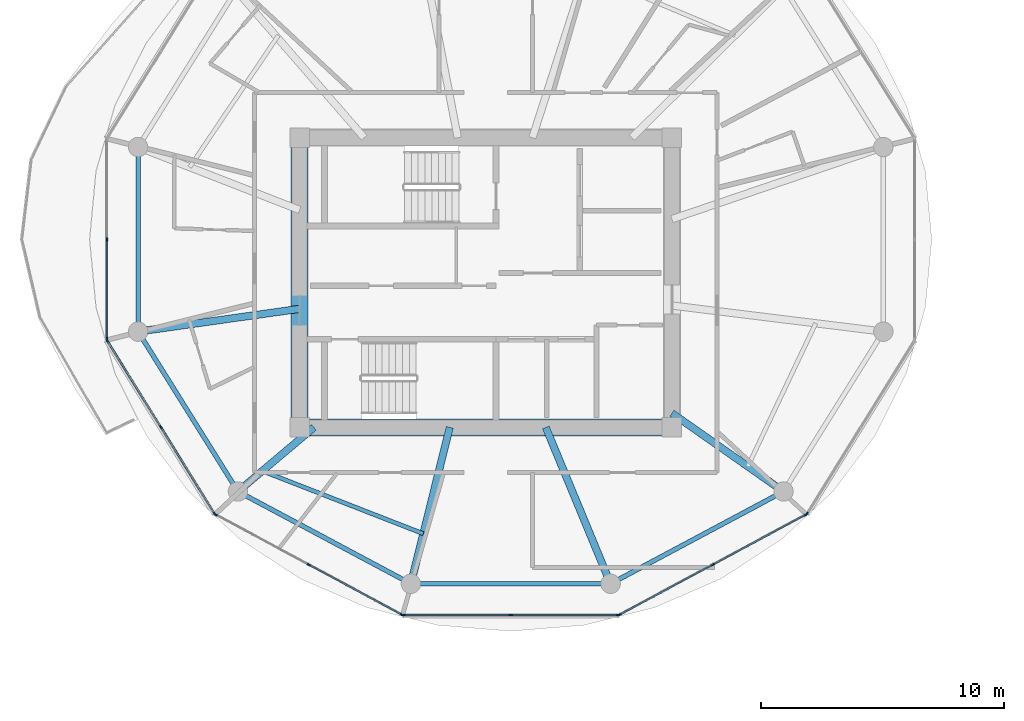
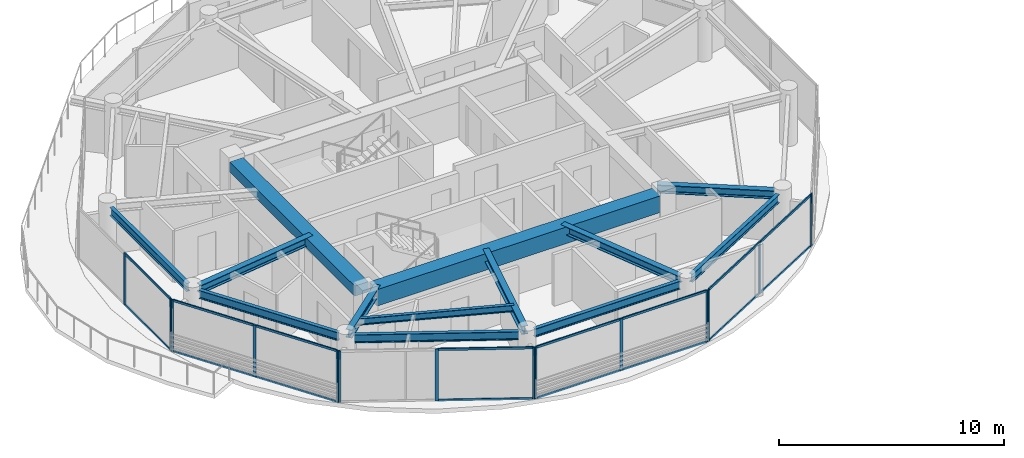
# One storey, part 2 of 24: 31 members, 13 beams, 6 elements without a shape of their own.
"""IFC4 building model written with IfcOpenShell, lengths in metres."""

from ifc_helpers import new_model, si_unit, direction, frame, origin, origin_2d, place, context, subcontext, project, spatial, rectangle, i_section, extrude, source, transform, mapped, material, layer, layer_set, material_profile, profile_set, type_object, type_shapes, element, aggregate, save


model = new_model("IFC4")

# Units and contexts
model_context = context("Model", 3, precision=1e-05, world=origin(), true_north=direction((0.0, 1.0)))
body_context = subcontext(model_context, "Body", "Model", "MODEL_VIEW")
ifc_project = project(units=[si_unit("LENGTHUNIT", "METRE"), si_unit("AREAUNIT", "SQUARE_METRE"), si_unit("VOLUMEUNIT", "CUBIC_METRE"), si_unit("PLANEANGLEUNIT", "RADIAN"), si_unit("MASSUNIT", "GRAM", prefix="KILO")], contexts=[model_context])

# Site, building, storey
site_placement = place(None, origin())
site = spatial("IfcSite", under=ifc_project, at=site_placement, CompositionType="ELEMENT")
building_placement = place(site_placement, origin())
building = spatial("IfcBuilding", under=site, at=building_placement, Name="Norrkilde Senior Care Towers", CompositionType="ELEMENT")
storey_placement = place(building_placement, frame((0.0, 0.0, 155.64990234375)))
storey = spatial("IfcBuildingStorey", under=building, at=storey_placement, Name="L48", CompositionType="ELEMENT", Elevation=155.64990234375)

# Beams
ifc_material_1 = material(Name="Concrete C60/75", Category="concrete")
ifc_material_profile_1 = material_profile(ifc_material_1, rectangle(XDim=0.699951171875, YDim=0.89990234375, at=origin_2d()), Name="RC BM 700x900")
ifc_profile_set_1 = profile_set([ifc_material_profile_1], Name="Concrete C60/75")
beam_type_1 = type_object("IfcBeamType", Name="Core Coupling Girder 700x900", PredefinedType="USERDEFINED", material=ifc_profile_set_1)
shared_shape_1 = source(origin(), body_context, "Body", "SweptSolid", [
    extrude(rectangle(XDim=0.699951171875, YDim=0.89990234375, at=origin_2d()), origin(), (0.0, 0.0, 1.0), 14.5400390625),
])
type_shapes(beam_type_1, [shared_shape_1])
beam_1_placement = place(storey_placement, frame((-35.27001953125, -5.949951171875, 2.360107421875), z_axis=(1.0, 0.0, 0.0), x_axis=(0.0, 1.0, 0.0)))
element("IfcBeam", 1, at=beam_1_placement, inside=storey, type_object=beam_type_1, Name="L48 Core W S Coupling Girder", ObjectType="GIRDER", PredefinedType="USERDEFINED", context=body_context, shape_type="MappedRepresentation", body=[
    mapped(shared_shape_1, transform((0.0, 0.0, 0.0), x_axis=(1.0, 0.0, 0.0), y_axis=(0.0, 1.0, 0.0), z_axis=(0.0, 0.0, 1.0), scale=1.0)),
])
ifc_material_profile_2 = material_profile(ifc_material_1, rectangle(XDim=0.699951171875, YDim=0.550048828125, at=origin_2d()), Name="RC BM 700x550")
ifc_profile_set_2 = profile_set([ifc_material_profile_2], Name="Concrete C60/75")
beam_type_2 = type_object("IfcBeamType", Name="Core Portal Coupling Beam 700x550", PredefinedType="USERDEFINED", material=ifc_profile_set_2)
shared_shape_2 = source(origin(), body_context, "Body", "SweptSolid", [
    extrude(rectangle(XDim=0.699951171875, YDim=0.550048828125, at=origin_2d()), origin(), (0.0, 0.0, 1.0), 11.14013671875),
])
type_shapes(beam_type_2, [shared_shape_2])
beam_2_placement = place(storey_placement, frame((-35.64990234375, -5.570068359375, 2.53515625), z_axis=(0.0, 1.0, 0.0), x_axis=(-1.0, 0.0, 0.0)))
element("IfcBeam", 2, at=beam_2_placement, inside=storey, type_object=beam_type_2, Name="L48 Core W W Coupling Girder", ObjectType="GIRDER", PredefinedType="USERDEFINED", context=body_context, shape_type="MappedRepresentation", body=[
    mapped(shared_shape_2, transform((0.0, 0.0, 0.0), x_axis=(1.0, 0.0, 0.0), y_axis=(0.0, 1.0, 0.0), z_axis=(0.0, 0.0, 1.0), scale=1.0)),
])
ifc_material_2 = material(Name="Steel S355", Category="steel")
ifc_material_profile_3 = material_profile(ifc_material_2, i_section(OverallWidth=0.18994140625, OverallDepth=0.449951171875, WebThickness=0.009521484375, FlangeThickness=0.0146484375, FilletRadius=0.02099609375, at=origin_2d()), Name="IPE 450")
ifc_profile_set_3 = profile_set([ifc_material_profile_3], Name="Steel S355")
beam_type_3 = type_object("IfcBeamType", Name="Perimeter Ring Spandrel Z3 IPE450", PredefinedType="SPANDREL", material=ifc_profile_set_3)
shared_shape_3 = source(origin(), body_context, "Body", "SweptSolid", [
    extrude(i_section(OverallWidth=0.18994140625, OverallDepth=0.449951171875, WebThickness=0.009521484375, FlangeThickness=0.0146484375, FilletRadius=0.02099609375, at=origin_2d()), origin(), (0.0, 0.0, 1.0), 7.484619140625),
])
beam_3_placement = place(storey_placement, frame((-30.71728515625, -12.37548828125, 2.585205078125), z_axis=(1.0, 0.0, 0.0), x_axis=(0.0, 1.0, 0.0)))
element("IfcBeam", 3, at=beam_3_placement, inside=storey, type_object=beam_type_3, Name="L48 Drum W Perimeter Spandrel 09", PredefinedType="SPANDREL", context=body_context, shape_type="MappedRepresentation", body=[
    mapped(shared_shape_3, transform((0.0, 0.0, 0.0), x_axis=(1.0, 0.0, 0.0), y_axis=(0.0, 1.0, 0.0), z_axis=(0.0, 0.0, 1.0), scale=1.0)),
])
shared_shape_4 = source(origin(), body_context, "Body", "SweptSolid", [
    extrude(i_section(OverallWidth=0.18994140625, OverallDepth=0.449951171875, WebThickness=0.009521484375, FlangeThickness=0.0146484375, FilletRadius=0.02099609375, at=origin_2d()), origin(), (0.0, 0.0, 1.0), 6.86328125),
])
beam_4_placement = place(storey_placement, frame((-42.284912109375, 5.20703125, 2.585205078125), z_axis=(0.0, -1.0, 0.0), x_axis=(1.0, 0.0, 0.0)))
element("IfcBeam", 4, at=beam_4_placement, inside=storey, type_object=beam_type_3, Name="L48 Drum W Perimeter Spandrel 06", PredefinedType="SPANDREL", context=body_context, shape_type="MappedRepresentation", body=[
    mapped(shared_shape_4, transform((0.0, 0.0, 0.0), x_axis=(1.0, 0.0, 0.0), y_axis=(0.0, 1.0, 0.0), z_axis=(0.0, 0.0, 1.0), scale=1.0)),
])
shared_shape_5 = source(origin(), body_context, "Body", "SweptSolid", [
    extrude(i_section(OverallWidth=0.18994140625, OverallDepth=0.449951171875, WebThickness=0.009521484375, FlangeThickness=0.0146484375, FilletRadius=0.02099609375, at=origin_2d()), origin(), (0.0, 0.0, 1.0), 7.023193359375),
])
beam_5_placement = place(storey_placement, frame((-42.09423828125, -2.32177734375, 2.585205078125), z_axis=(0.529805197269, -0.848119362441, 0.0), x_axis=(0.848119362441, 0.529805197269, 0.0)))
element("IfcBeam", 5, at=beam_5_placement, inside=storey, type_object=beam_type_3, Name="L48 Drum W Perimeter Spandrel 07", PredefinedType="SPANDREL", context=body_context, shape_type="MappedRepresentation", body=[
    mapped(shared_shape_5, transform((0.0, 0.0, 0.0), x_axis=(1.0, 0.0, 0.0), y_axis=(0.0, 1.0, 0.0), z_axis=(0.0, 0.0, 1.0), scale=1.0)),
])
ifc_material_profile_4 = material_profile(ifc_material_2, i_section(OverallWidth=0.300048828125, OverallDepth=0.449951171875, WebThickness=0.013916015625, FlangeThickness=0.02587890625, FilletRadius=0.027099609375, at=origin_2d()), Name="HEB 450")
ifc_profile_set_4 = profile_set([ifc_material_profile_4], Name="Steel S355")
beam_type_4 = type_object("IfcBeamType", Name="Radial Floor Beam Z3 HEB450", PredefinedType="BEAM", material=ifc_profile_set_4)
shared_shape_6 = source(origin(), body_context, "Body", "SweptSolid", [
    extrude(i_section(OverallWidth=0.300048828125, OverallDepth=0.449951171875, WebThickness=0.013916015625, FlangeThickness=0.02587890625, FilletRadius=0.027099609375, at=origin_2d()), origin(), (0.0, 0.0, 1.0), 6.3408203125),
])
beam_6_placement = place(storey_placement, frame((-35.64990234375, -1.079833984375, 2.585205078125), z_axis=(-0.990184519576, -0.139766294905, 0.0), x_axis=(0.139766294905, -0.990184519576, 0.0)))
element("IfcBeam", 6, at=beam_6_placement, inside=storey, type_object=beam_type_4, Name="L48 Drum W Radial Floor Beam 07", PredefinedType="BEAM", context=body_context, shape_type="MappedRepresentation", body=[
    mapped(shared_shape_6, transform((0.0, 0.0, 0.0), x_axis=(1.0, 0.0, 0.0), y_axis=(0.0, 1.0, 0.0), z_axis=(0.0, 0.0, 1.0), scale=1.0)),
])
shared_shape_7 = source(origin(), body_context, "Body", "SweptSolid", [
    extrude(i_section(OverallWidth=0.18994140625, OverallDepth=0.449951171875, WebThickness=0.009521484375, FlangeThickness=0.0146484375, FilletRadius=0.02099609375, at=origin_2d()), origin(), (0.0, 0.0, 1.0), 7.333984375),
])
type_shapes(beam_type_3, [shared_shape_3, shared_shape_4, shared_shape_5, shared_shape_7])
for number, where, z_axis, x_axis, name in (
    (7, (-37.864990234375, -8.753173828125, 2.585205078125), (0.882234038987, -0.470811109101, 0.0), (0.470811109101, 0.882234038987, 0.0), "L48 Drum W Perimeter Spandrel 08"),
    (8, (-22.55517578125, -12.2060546875, 2.585205078125), (0.882234038987, 0.470811109101, 0.0), (-0.470811109101, 0.882234038987, 0.0), "L48 Drum W Perimeter Spandrel 10"),
):
    element("IfcBeam", number, at=place(storey_placement, frame(where, z_axis=z_axis, x_axis=x_axis)), inside=storey, type_object=beam_type_3, Name=name, PredefinedType="SPANDREL", context=body_context, shape_type="MappedRepresentation", body=[
        mapped(shared_shape_7, transform((0.0, 0.0, 0.0), x_axis=(1.0, 0.0, 0.0), y_axis=(0.0, 1.0, 0.0), z_axis=(0.0, 0.0, 1.0), scale=1.0)),
    ])
shared_shape_8 = source(origin(), body_context, "Body", "SweptSolid", [
    extrude(i_section(OverallWidth=0.300048828125, OverallDepth=0.449951171875, WebThickness=0.013916015625, FlangeThickness=0.02587890625, FilletRadius=0.027099609375, at=origin_2d()), origin(), (0.0, 0.0, 1.0), 3.7265625),
])
beam_7_placement = place(storey_placement, frame((-35.058349609375, -5.949951171875, 2.585205078125), z_axis=(-0.764567902106, -0.644543189453, 0.0), x_axis=(0.644543189453, -0.764567902106, 0.0)))
element("IfcBeam", 9, at=beam_7_placement, inside=storey, type_object=beam_type_4, Name="L48 Drum W Radial Floor Beam 08", PredefinedType="BEAM", context=body_context, shape_type="MappedRepresentation", body=[
    mapped(shared_shape_8, transform((0.0, 0.0, 0.0), x_axis=(1.0, 0.0, 0.0), y_axis=(0.0, 1.0, 0.0), z_axis=(0.0, 0.0, 1.0), scale=1.0)),
])
shared_shape_9 = source(origin(), body_context, "Body", "SweptSolid", [
    extrude(i_section(OverallWidth=0.300048828125, OverallDepth=0.449951171875, WebThickness=0.013916015625, FlangeThickness=0.02587890625, FilletRadius=0.027099609375, at=origin_2d()), origin(), (0.0, 0.0, 1.0), 6.26123046875),
])
beam_8_placement = place(storey_placement, frame((-29.4794921875, -5.949951171875, 2.585205078125), z_axis=(-0.241324375921, -0.970444509277, 0.0), x_axis=(0.970444509277, -0.241324375921, 0.0)))
element("IfcBeam", 10, at=beam_8_placement, inside=storey, type_object=beam_type_4, Name="L48 Drum W Radial Floor Beam 09", PredefinedType="BEAM", context=body_context, shape_type="MappedRepresentation", body=[
    mapped(shared_shape_9, transform((0.0, 0.0, 0.0), x_axis=(1.0, 0.0, 0.0), y_axis=(0.0, 1.0, 0.0), z_axis=(0.0, 0.0, 1.0), scale=1.0)),
])
shared_shape_10 = source(origin(), body_context, "Body", "SweptSolid", [
    extrude(i_section(OverallWidth=0.300048828125, OverallDepth=0.449951171875, WebThickness=0.013916015625, FlangeThickness=0.02587890625, FilletRadius=0.027099609375, at=origin_2d()), origin(), (0.0, 0.0, 1.0), 6.59521484375),
])
beam_9_placement = place(storey_placement, frame((-25.534912109375, -5.949951171875, 2.585205078125), z_axis=(0.382761541363, -0.923847174836, 0.0), x_axis=(0.923847174836, 0.382761541363, 0.0)))
element("IfcBeam", 11, at=beam_9_placement, inside=storey, type_object=beam_type_4, Name="L48 Drum W Radial Floor Beam 10", PredefinedType="BEAM", context=body_context, shape_type="MappedRepresentation", body=[
    mapped(shared_shape_10, transform((0.0, 0.0, 0.0), x_axis=(1.0, 0.0, 0.0), y_axis=(0.0, 1.0, 0.0), z_axis=(0.0, 0.0, 1.0), scale=1.0)),
])
shared_shape_11 = source(origin(), body_context, "Body", "SweptSolid", [
    extrude(i_section(OverallWidth=0.300048828125, OverallDepth=0.449951171875, WebThickness=0.013916015625, FlangeThickness=0.02587890625, FilletRadius=0.027099609375, at=origin_2d()), origin(), (0.0, 0.0, 1.0), 5.23828125),
])
type_shapes(beam_type_4, [shared_shape_6, shared_shape_8, shared_shape_9, shared_shape_10, shared_shape_11])
beam_10_placement = place(storey_placement, frame((-20.35009765625, -5.3681640625, 2.585205078125), z_axis=(0.818592061291, -0.574375345215, 0.0), x_axis=(0.574375345215, 0.818592061291, 0.0)))
element("IfcBeam", 12, at=beam_10_placement, inside=storey, type_object=beam_type_4, Name="L48 Drum W Radial Floor Beam 11", PredefinedType="BEAM", context=body_context, shape_type="MappedRepresentation", body=[
    mapped(shared_shape_11, transform((0.0, 0.0, 0.0), x_axis=(1.0, 0.0, 0.0), y_axis=(0.0, 1.0, 0.0), z_axis=(0.0, 0.0, 1.0), scale=1.0)),
])
ifc_material_profile_5 = material_profile(ifc_material_2, i_section(OverallWidth=0.169921875, OverallDepth=0.360107421875, WebThickness=0.008056640625, FlangeThickness=0.0126953125, FilletRadius=0.01806640625, at=origin_2d()), Name="IPE 360")
ifc_profile_set_5 = profile_set([ifc_material_profile_5], Name="Steel S355")
beam_type_5 = type_object("IfcBeamType", Name="Secondary Floor Joist IPE360", PredefinedType="JOIST", material=ifc_profile_set_5)
shared_shape_12 = source(origin(), body_context, "Body", "SweptSolid", [
    extrude(i_section(OverallWidth=0.169921875, OverallDepth=0.360107421875, WebThickness=0.008056640625, FlangeThickness=0.0126953125, FilletRadius=0.01806640625, at=origin_2d()), origin(), (0.0, 0.0, 1.0), 7.1015625),
])
type_shapes(beam_type_5, [shared_shape_12])
beam_11_placement = place(storey_placement, frame((-37.182861328125, -7.740966796875, 2.630126953125), z_axis=(0.931761231292, -0.363071629106, 0.0), x_axis=(0.363071629106, 0.931761231292, 0.0)))
element("IfcBeam", 13, at=beam_11_placement, inside=storey, type_object=beam_type_5, Name="L48 Drum W Secondary Floor Joist 3", PredefinedType="JOIST", context=body_context, shape_type="MappedRepresentation", body=[
    mapped(shared_shape_12, transform((0.0, 0.0, 0.0), x_axis=(1.0, 0.0, 0.0), y_axis=(0.0, 1.0, 0.0), z_axis=(0.0, 0.0, 1.0), scale=1.0)),
])

# Curtain wall, members
ifc_material_3 = material(Name="Triple Low-E Insulated Glazing", Category="glass")
ifc_layer = layer(ifc_material_3, 0.18994140625)
ifc_layer_set = layer_set([ifc_layer], Name="Triple Low-E Insulated Glazing")
curtain_wall_type = type_object("IfcCurtainWallType", Name="CW4 Zone 3 Senior Residence Curtain Wall", PredefinedType="NOTDEFINED", material=ifc_layer_set)
curtain_wall_1_placement = place(storey_placement, origin())
curtain_wall_1 = element("IfcCurtainWall", 14, at=curtain_wall_1_placement, inside=storey, type_object=curtain_wall_type, Name="L48 Drum W Curtain Wall 05", PredefinedType="NOTDEFINED")
ifc_material_4 = material(Name="Anodised Aluminium", Category="aluminium")
ifc_material_profile_6 = material_profile(ifc_material_4, rectangle(XDim=0.06494140625, YDim=0.14990234375, at=origin_2d()), Name="ALU MULL 65x150")
ifc_profile_set_6 = profile_set([ifc_material_profile_6], Name="Anodised Aluminium")
member_type_1 = type_object("IfcMemberType", Name="Curtain Wall Mullion Z3-Z4 65x150", PredefinedType="MULLION", material=ifc_profile_set_6)
shared_shape_13 = source(origin(), body_context, "Body", "SweptSolid", [
    extrude(rectangle(XDim=0.06494140625, YDim=0.14990234375, at=origin_2d()), origin(), (0.0, 0.0, 1.0), 2.81005859375),
])
type_shapes(member_type_1, [shared_shape_13])
member_1_placement = place(storey_placement, frame((-43.569580078125, -2.328125, 0.0), z_axis=(0.0, 0.0, 1.0), x_axis=(-1.0, 0.0, 0.0)))
member_1 = element("IfcMember", 15, at=member_1_placement, type_object=member_type_1, Name="CW-4 mullion 1", PredefinedType="MULLION", context=body_context, shape_type="MappedRepresentation", body=[
    mapped(shared_shape_13, transform((0.0, 0.0, 0.0), x_axis=(1.0, 0.0, 0.0), y_axis=(0.0, 1.0, 0.0), z_axis=(0.0, 0.0, 1.0), scale=1.0)),
])
member_2_placement = place(storey_placement, frame((-43.569580078125, 1.775390625, 0.0), z_axis=(0.0, 0.0, 1.0), x_axis=(-1.0, 0.0, 0.0)))
member_2 = element("IfcMember", 16, at=member_2_placement, type_object=member_type_1, Name="CW-4 mullion 2", PredefinedType="MULLION", context=body_context, shape_type="MappedRepresentation", body=[
    mapped(shared_shape_13, transform((0.0, 0.0, 0.0), x_axis=(1.0, 0.0, 0.0), y_axis=(0.0, 1.0, 0.0), z_axis=(0.0, 0.0, 1.0), scale=1.0)),
])

curtain_wall_2_placement = place(storey_placement, origin())
curtain_wall_2 = element("IfcCurtainWall", 17, at=curtain_wall_2_placement, inside=storey, type_object=curtain_wall_type, Name="L48 Drum W Curtain Wall 06", PredefinedType="NOTDEFINED")
member_3_placement = place(storey_placement, frame((-39.14013671875, -9.49658203125, 0.0), z_axis=(0.0, 0.0, 1.0), x_axis=(-0.84963405474, -0.52737270789, 0.0)))
member_3 = element("IfcMember", 18, at=member_3_placement, type_object=member_type_1, Name="CW-4 mullion 1", PredefinedType="MULLION", context=body_context, shape_type="MappedRepresentation", body=[
    mapped(shared_shape_13, transform((0.0, 0.0, 0.0), x_axis=(1.0, 0.0, 0.0), y_axis=(0.0, 1.0, 0.0), z_axis=(0.0, 0.0, 1.0), scale=1.0)),
])
member_4_placement = place(storey_placement, frame((-41.346435546875, -5.9423828125, 0.0), z_axis=(0.0, 0.0, 1.0), x_axis=(-0.84963405474, -0.52737270789, 0.0)))
member_4 = element("IfcMember", 19, at=member_4_placement, type_object=member_type_1, Name="CW-4 mullion 2", PredefinedType="MULLION", context=body_context, shape_type="MappedRepresentation", body=[
    mapped(shared_shape_13, transform((0.0, 0.0, 0.0), x_axis=(1.0, 0.0, 0.0), y_axis=(0.0, 1.0, 0.0), z_axis=(0.0, 0.0, 1.0), scale=1.0)),
])
member_5_placement = place(storey_placement, frame((-43.552490234375, -2.38818359375, 0.0), z_axis=(0.0, 0.0, 1.0), x_axis=(-0.84963405474, -0.52737270789, 0.0)))
member_5 = element("IfcMember", 20, at=member_5_placement, type_object=member_type_1, Name="CW-4 mullion 3", PredefinedType="MULLION", context=body_context, shape_type="MappedRepresentation", body=[
    mapped(shared_shape_13, transform((0.0, 0.0, 0.0), x_axis=(1.0, 0.0, 0.0), y_axis=(0.0, 1.0, 0.0), z_axis=(0.0, 0.0, 1.0), scale=1.0)),
])

curtain_wall_3_placement = place(storey_placement, origin())
curtain_wall_3 = element("IfcCurtainWall", 21, at=curtain_wall_3_placement, inside=storey, type_object=curtain_wall_type, Name="L48 Drum W Curtain Wall 07", PredefinedType="NOTDEFINED")
member_6_placement = place(storey_placement, frame((-31.4501953125, -13.644775390625, 0.0), z_axis=(0.0, 0.0, 1.0), x_axis=(-0.47311715104, -0.880999524059, 0.0)))
member_6 = element("IfcMember", 22, at=member_6_placement, type_object=member_type_1, Name="CW-4 mullion 1", PredefinedType="MULLION", context=body_context, shape_type="MappedRepresentation", body=[
    mapped(shared_shape_13, transform((0.0, 0.0, 0.0), x_axis=(1.0, 0.0, 0.0), y_axis=(0.0, 1.0, 0.0), z_axis=(0.0, 0.0, 1.0), scale=1.0)),
])
member_7_placement = place(storey_placement, frame((-35.272216796875, -11.59228515625, 0.0), z_axis=(0.0, 0.0, 1.0), x_axis=(-0.47311715104, -0.880999524059, 0.0)))
member_7 = element("IfcMember", 23, at=member_7_placement, type_object=member_type_1, Name="CW-4 mullion 2", PredefinedType="MULLION", context=body_context, shape_type="MappedRepresentation", body=[
    mapped(shared_shape_13, transform((0.0, 0.0, 0.0), x_axis=(1.0, 0.0, 0.0), y_axis=(0.0, 1.0, 0.0), z_axis=(0.0, 0.0, 1.0), scale=1.0)),
])
member_8_placement = place(storey_placement, frame((-39.094482421875, -9.53955078125, 0.0), z_axis=(0.0, 0.0, 1.0), x_axis=(-0.47311715104, -0.880999524059, 0.0)))
member_8 = element("IfcMember", 24, at=member_8_placement, type_object=member_type_1, Name="CW-4 mullion 3", PredefinedType="MULLION", context=body_context, shape_type="MappedRepresentation", body=[
    mapped(shared_shape_13, transform((0.0, 0.0, 0.0), x_axis=(1.0, 0.0, 0.0), y_axis=(0.0, 1.0, 0.0), z_axis=(0.0, 0.0, 1.0), scale=1.0)),
])

curtain_wall_4_placement = place(storey_placement, origin())
curtain_wall_4 = element("IfcCurtainWall", 25, at=curtain_wall_4_placement, inside=storey, type_object=curtain_wall_type, Name="L48 Drum W Curtain Wall 08", PredefinedType="NOTDEFINED")
member_9_placement = place(storey_placement, frame((-22.56103515625, -13.66015625, 0.0), z_axis=(0.0, 0.0, 1.0), x_axis=(0.0, -1.0, 0.0)))
member_9 = element("IfcMember", 26, at=member_9_placement, type_object=member_type_1, Name="CW-4 mullion 1", PredefinedType="MULLION", context=body_context, shape_type="MappedRepresentation", body=[
    mapped(shared_shape_13, transform((0.0, 0.0, 0.0), x_axis=(1.0, 0.0, 0.0), y_axis=(0.0, 1.0, 0.0), z_axis=(0.0, 0.0, 1.0), scale=1.0)),
])
member_10_placement = place(storey_placement, frame((-26.97509765625, -13.66015625, 0.0), z_axis=(0.0, 0.0, 1.0), x_axis=(0.0, -1.0, 0.0)))
member_10 = element("IfcMember", 27, at=member_10_placement, type_object=member_type_1, Name="CW-4 mullion 2", PredefinedType="MULLION", context=body_context, shape_type="MappedRepresentation", body=[
    mapped(shared_shape_13, transform((0.0, 0.0, 0.0), x_axis=(1.0, 0.0, 0.0), y_axis=(0.0, 1.0, 0.0), z_axis=(0.0, 0.0, 1.0), scale=1.0)),
])
member_11_placement = place(storey_placement, frame((-31.388916015625, -13.66015625, 0.0), z_axis=(0.0, 0.0, 1.0), x_axis=(0.0, -1.0, 0.0)))
member_11 = element("IfcMember", 28, at=member_11_placement, type_object=member_type_1, Name="CW-4 mullion 3", PredefinedType="MULLION", context=body_context, shape_type="MappedRepresentation", body=[
    mapped(shared_shape_13, transform((0.0, 0.0, 0.0), x_axis=(1.0, 0.0, 0.0), y_axis=(0.0, 1.0, 0.0), z_axis=(0.0, 0.0, 1.0), scale=1.0)),
])

curtain_wall_5_placement = place(storey_placement, origin())
curtain_wall_5 = element("IfcCurtainWall", 29, at=curtain_wall_5_placement, inside=storey, type_object=curtain_wall_type, Name="L48 Drum W Curtain Wall 09", PredefinedType="NOTDEFINED")
member_12_placement = place(storey_placement, frame((-14.85546875, -9.53955078125, 0.0), z_axis=(0.0, 0.0, 1.0), x_axis=(0.47311715104, -0.880999524059, 0.0)))
member_12 = element("IfcMember", 30, at=member_12_placement, type_object=member_type_1, Name="CW-4 mullion 1", PredefinedType="MULLION", context=body_context, shape_type="MappedRepresentation", body=[
    mapped(shared_shape_13, transform((0.0, 0.0, 0.0), x_axis=(1.0, 0.0, 0.0), y_axis=(0.0, 1.0, 0.0), z_axis=(0.0, 0.0, 1.0), scale=1.0)),
])
member_13_placement = place(storey_placement, frame((-18.677734375, -11.59228515625, 0.0), z_axis=(0.0, 0.0, 1.0), x_axis=(0.47311715104, -0.880999524059, 0.0)))
member_13 = element("IfcMember", 31, at=member_13_placement, type_object=member_type_1, Name="CW-4 mullion 2", PredefinedType="MULLION", context=body_context, shape_type="MappedRepresentation", body=[
    mapped(shared_shape_13, transform((0.0, 0.0, 0.0), x_axis=(1.0, 0.0, 0.0), y_axis=(0.0, 1.0, 0.0), z_axis=(0.0, 0.0, 1.0), scale=1.0)),
])
member_14_placement = place(storey_placement, frame((-22.499755859375, -13.644775390625, 0.0), z_axis=(0.0, 0.0, 1.0), x_axis=(0.47311715104, -0.880999524059, 0.0)))
member_14 = element("IfcMember", 32, at=member_14_placement, type_object=member_type_1, Name="CW-4 mullion 3", PredefinedType="MULLION", context=body_context, shape_type="MappedRepresentation", body=[
    mapped(shared_shape_13, transform((0.0, 0.0, 0.0), x_axis=(1.0, 0.0, 0.0), y_axis=(0.0, 1.0, 0.0), z_axis=(0.0, 0.0, 1.0), scale=1.0)),
])

# Curtain wall, member
curtain_wall_6_placement = place(storey_placement, origin())
curtain_wall_6 = element("IfcCurtainWall", 33, at=curtain_wall_6_placement, inside=storey, type_object=curtain_wall_type, Name="L48 Drum W Curtain Wall 10", PredefinedType="NOTDEFINED")
member_15_placement = place(storey_placement, frame((-14.809814453125, -9.49658203125, 0.0), z_axis=(0.0, 0.0, 1.0), x_axis=(0.84963405474, -0.52737270789, 0.0)))
member_15 = element("IfcMember", 34, at=member_15_placement, type_object=member_type_1, Name="CW-4 mullion 3", PredefinedType="MULLION", context=body_context, shape_type="MappedRepresentation", body=[
    mapped(shared_shape_13, transform((0.0, 0.0, 0.0), x_axis=(1.0, 0.0, 0.0), y_axis=(0.0, 1.0, 0.0), z_axis=(0.0, 0.0, 1.0), scale=1.0)),
])
aggregate(curtain_wall_6, [member_15])

# Member
ifc_material_profile_7 = material_profile(ifc_material_4, rectangle(XDim=0.06005859375, YDim=0.1201171875, at=origin_2d()), Name="ALU TRAN 60x120")
ifc_profile_set_7 = profile_set([ifc_material_profile_7], Name="Anodised Aluminium")
member_type_2 = type_object("IfcMemberType", Name="Curtain Wall Transom Typical 60x120", PredefinedType="USERDEFINED", material=ifc_profile_set_7)
shared_shape_14 = source(origin(), body_context, "Body", "SweptSolid", [
    extrude(rectangle(XDim=0.06005859375, YDim=0.1201171875, at=origin_2d()), origin(), (0.0, 0.0, 1.0), 4.1181640625),
])
member_16_placement = place(storey_placement, frame((-39.157470703125, -9.468994140625, 0.030029296875), z_axis=(-0.527331870867, 0.849659401153, 0.0), x_axis=(-0.849659401153, -0.527331870867, 0.0)))
member_16 = element("IfcMember", 35, at=member_16_placement, type_object=member_type_2, Name="CW-4 transom 1.1", ObjectType="TRANSOM", PredefinedType="USERDEFINED", context=body_context, shape_type="MappedRepresentation", body=[
    mapped(shared_shape_14, transform((0.0, 0.0, 0.0), x_axis=(1.0, 0.0, 0.0), y_axis=(0.0, 1.0, 0.0), z_axis=(0.0, 0.0, 1.0), scale=1.0)),
])

member_17_placement = place(storey_placement, frame((-39.157470703125, -9.468994140625, 2.780029296875), z_axis=(-0.527331870867, 0.849659401153, 0.0), x_axis=(-0.849659401153, -0.527331870867, 0.0)))
member_17 = element("IfcMember", 36, at=member_17_placement, type_object=member_type_2, Name="CW-4 transom 1.2", ObjectType="TRANSOM", PredefinedType="USERDEFINED", context=body_context, shape_type="MappedRepresentation", body=[
    mapped(shared_shape_14, transform((0.0, 0.0, 0.0), x_axis=(1.0, 0.0, 0.0), y_axis=(0.0, 1.0, 0.0), z_axis=(0.0, 0.0, 1.0), scale=1.0)),
])

member_18_placement = place(storey_placement, frame((-41.363525390625, -5.914794921875, 0.030029296875), z_axis=(-0.527374667286, 0.849632838528, 0.0), x_axis=(-0.849632838528, -0.527374667286, 0.0)))
member_18 = element("IfcMember", 37, at=member_18_placement, type_object=member_type_2, Name="CW-4 transom 2.1", ObjectType="TRANSOM", PredefinedType="USERDEFINED", context=body_context, shape_type="MappedRepresentation", body=[
    mapped(shared_shape_14, transform((0.0, 0.0, 0.0), x_axis=(1.0, 0.0, 0.0), y_axis=(0.0, 1.0, 0.0), z_axis=(0.0, 0.0, 1.0), scale=1.0)),
])

member_19_placement = place(storey_placement, frame((-41.363525390625, -5.914794921875, 2.780029296875), z_axis=(-0.527374667286, 0.849632838528, 0.0), x_axis=(-0.849632838528, -0.527374667286, 0.0)))
member_19 = element("IfcMember", 38, at=member_19_placement, type_object=member_type_2, Name="CW-4 transom 2.2", ObjectType="TRANSOM", PredefinedType="USERDEFINED", context=body_context, shape_type="MappedRepresentation", body=[
    mapped(shared_shape_14, transform((0.0, 0.0, 0.0), x_axis=(1.0, 0.0, 0.0), y_axis=(0.0, 1.0, 0.0), z_axis=(0.0, 0.0, 1.0), scale=1.0)),
])

aggregate(curtain_wall_2, [member_3, member_4, member_5, member_16, member_17, member_18, member_19])

shared_shape_15 = source(origin(), body_context, "Body", "SweptSolid", [
    extrude(rectangle(XDim=0.06005859375, YDim=0.1201171875, at=origin_2d()), origin(), (0.0, 0.0, 1.0), 4.2734375),
])
member_20_placement = place(storey_placement, frame((-31.478759765625, -13.62939453125, 0.030029296875), z_axis=(-0.881009863348, 0.473097897567, 0.0), x_axis=(-0.473097897567, -0.881009863348, 0.0)))
member_20 = element("IfcMember", 39, at=member_20_placement, type_object=member_type_2, Name="CW-4 transom 1.1", ObjectType="TRANSOM", PredefinedType="USERDEFINED", context=body_context, shape_type="MappedRepresentation", body=[
    mapped(shared_shape_15, transform((0.0, 0.0, 0.0), x_axis=(1.0, 0.0, 0.0), y_axis=(0.0, 1.0, 0.0), z_axis=(0.0, 0.0, 1.0), scale=1.0)),
])

member_21_placement = place(storey_placement, frame((-31.478759765625, -13.62939453125, 2.780029296875), z_axis=(-0.881009863348, 0.473097897567, 0.0), x_axis=(-0.473097897567, -0.881009863348, 0.0)))
member_21 = element("IfcMember", 40, at=member_21_placement, type_object=member_type_2, Name="CW-4 transom 1.2", ObjectType="TRANSOM", PredefinedType="USERDEFINED", context=body_context, shape_type="MappedRepresentation", body=[
    mapped(shared_shape_15, transform((0.0, 0.0, 0.0), x_axis=(1.0, 0.0, 0.0), y_axis=(0.0, 1.0, 0.0), z_axis=(0.0, 0.0, 1.0), scale=1.0)),
])

aggregate(curtain_wall_3, [member_6, member_7, member_8, member_20, member_21])

member_22_placement = place(storey_placement, frame((-14.88427734375, -9.554931640625, 0.030029296875), z_axis=(-0.880986050649, -0.47314223925, 0.0), x_axis=(0.47314223925, -0.880986050649, 0.0)))
member_22 = element("IfcMember", 41, at=member_22_placement, type_object=member_type_2, Name="CW-4 transom 1.1", ObjectType="TRANSOM", PredefinedType="USERDEFINED", context=body_context, shape_type="MappedRepresentation", body=[
    mapped(shared_shape_15, transform((0.0, 0.0, 0.0), x_axis=(1.0, 0.0, 0.0), y_axis=(0.0, 1.0, 0.0), z_axis=(0.0, 0.0, 1.0), scale=1.0)),
])

member_23_placement = place(storey_placement, frame((-14.88427734375, -9.554931640625, 2.780029296875), z_axis=(-0.880986050649, -0.47314223925, 0.0), x_axis=(0.47314223925, -0.880986050649, 0.0)))
member_23 = element("IfcMember", 42, at=member_23_placement, type_object=member_type_2, Name="CW-4 transom 1.2", ObjectType="TRANSOM", PredefinedType="USERDEFINED", context=body_context, shape_type="MappedRepresentation", body=[
    mapped(shared_shape_15, transform((0.0, 0.0, 0.0), x_axis=(1.0, 0.0, 0.0), y_axis=(0.0, 1.0, 0.0), z_axis=(0.0, 0.0, 1.0), scale=1.0)),
])

member_24_placement = place(storey_placement, frame((-18.706298828125, -11.607666015625, 0.030029296875), z_axis=(-0.881009863348, -0.473097897567, 0.0), x_axis=(0.473097897567, -0.881009863348, 0.0)))
member_24 = element("IfcMember", 43, at=member_24_placement, type_object=member_type_2, Name="CW-4 transom 2.1", ObjectType="TRANSOM", PredefinedType="USERDEFINED", context=body_context, shape_type="MappedRepresentation", body=[
    mapped(shared_shape_15, transform((0.0, 0.0, 0.0), x_axis=(1.0, 0.0, 0.0), y_axis=(0.0, 1.0, 0.0), z_axis=(0.0, 0.0, 1.0), scale=1.0)),
])

member_25_placement = place(storey_placement, frame((-18.706298828125, -11.607666015625, 2.780029296875), z_axis=(-0.881009863348, -0.473097897567, 0.0), x_axis=(0.473097897567, -0.881009863348, 0.0)))
member_25 = element("IfcMember", 44, at=member_25_placement, type_object=member_type_2, Name="CW-4 transom 2.2", ObjectType="TRANSOM", PredefinedType="USERDEFINED", context=body_context, shape_type="MappedRepresentation", body=[
    mapped(shared_shape_15, transform((0.0, 0.0, 0.0), x_axis=(1.0, 0.0, 0.0), y_axis=(0.0, 1.0, 0.0), z_axis=(0.0, 0.0, 1.0), scale=1.0)),
])

aggregate(curtain_wall_5, [member_12, member_13, member_14, member_22, member_23, member_24, member_25])

shared_shape_16 = source(origin(), body_context, "Body", "SweptSolid", [
    extrude(rectangle(XDim=0.06005859375, YDim=0.1201171875, at=origin_2d()), origin(), (0.0, 0.0, 1.0), 4.03857421875),
])
member_26_placement = place(storey_placement, frame((-43.569580078125, -2.295654296875, 0.030029296875), z_axis=(0.0, 1.0, 0.0), x_axis=(-1.0, 0.0, 0.0)))
member_26 = element("IfcMember", 45, at=member_26_placement, type_object=member_type_2, Name="CW-4 transom 1.1", ObjectType="TRANSOM", PredefinedType="USERDEFINED", context=body_context, shape_type="MappedRepresentation", body=[
    mapped(shared_shape_16, transform((0.0, 0.0, 0.0), x_axis=(1.0, 0.0, 0.0), y_axis=(0.0, 1.0, 0.0), z_axis=(0.0, 0.0, 1.0), scale=1.0)),
])

member_27_placement = place(storey_placement, frame((-43.569580078125, -2.295654296875, 2.780029296875), z_axis=(0.0, 1.0, 0.0), x_axis=(-1.0, 0.0, 0.0)))
member_27 = element("IfcMember", 46, at=member_27_placement, type_object=member_type_2, Name="CW-4 transom 1.2", ObjectType="TRANSOM", PredefinedType="USERDEFINED", context=body_context, shape_type="MappedRepresentation", body=[
    mapped(shared_shape_16, transform((0.0, 0.0, 0.0), x_axis=(1.0, 0.0, 0.0), y_axis=(0.0, 1.0, 0.0), z_axis=(0.0, 0.0, 1.0), scale=1.0)),
])

aggregate(curtain_wall_1, [member_1, member_2, member_26, member_27])

shared_shape_17 = source(origin(), body_context, "Body", "SweptSolid", [
    extrude(rectangle(XDim=0.06005859375, YDim=0.1201171875, at=origin_2d()), origin(), (0.0, 0.0, 1.0), 4.348876953125),
])
type_shapes(member_type_2, [shared_shape_14, shared_shape_15, shared_shape_16, shared_shape_17])
member_28_placement = place(storey_placement, frame((-22.593505859375, -13.66015625, 0.030029296875), z_axis=(-1.0, 0.0, 0.0), x_axis=(0.0, -1.0, 0.0)))
member_28 = element("IfcMember", 47, at=member_28_placement, type_object=member_type_2, Name="CW-4 transom 1.1", ObjectType="TRANSOM", PredefinedType="USERDEFINED", context=body_context, shape_type="MappedRepresentation", body=[
    mapped(shared_shape_17, transform((0.0, 0.0, 0.0), x_axis=(1.0, 0.0, 0.0), y_axis=(0.0, 1.0, 0.0), z_axis=(0.0, 0.0, 1.0), scale=1.0)),
])

member_29_placement = place(storey_placement, frame((-22.593505859375, -13.66015625, 2.780029296875), z_axis=(-1.0, 0.0, 0.0), x_axis=(0.0, -1.0, 0.0)))
member_29 = element("IfcMember", 48, at=member_29_placement, type_object=member_type_2, Name="CW-4 transom 1.2", ObjectType="TRANSOM", PredefinedType="USERDEFINED", context=body_context, shape_type="MappedRepresentation", body=[
    mapped(shared_shape_17, transform((0.0, 0.0, 0.0), x_axis=(1.0, 0.0, 0.0), y_axis=(0.0, 1.0, 0.0), z_axis=(0.0, 0.0, 1.0), scale=1.0)),
])

member_30_placement = place(storey_placement, frame((-27.007568359375, -13.66015625, 0.030029296875), z_axis=(-1.0, 0.0, 0.0), x_axis=(0.0, -1.0, 0.0)))
member_30 = element("IfcMember", 49, at=member_30_placement, type_object=member_type_2, Name="CW-4 transom 2.1", ObjectType="TRANSOM", PredefinedType="USERDEFINED", context=body_context, shape_type="MappedRepresentation", body=[
    mapped(shared_shape_17, transform((0.0, 0.0, 0.0), x_axis=(1.0, 0.0, 0.0), y_axis=(0.0, 1.0, 0.0), z_axis=(0.0, 0.0, 1.0), scale=1.0)),
])

member_31_placement = place(storey_placement, frame((-27.007568359375, -13.66015625, 2.780029296875), z_axis=(-1.0, 0.0, 0.0), x_axis=(0.0, -1.0, 0.0)))
member_31 = element("IfcMember", 50, at=member_31_placement, type_object=member_type_2, Name="CW-4 transom 2.2", ObjectType="TRANSOM", PredefinedType="USERDEFINED", context=body_context, shape_type="MappedRepresentation", body=[
    mapped(shared_shape_17, transform((0.0, 0.0, 0.0), x_axis=(1.0, 0.0, 0.0), y_axis=(0.0, 1.0, 0.0), z_axis=(0.0, 0.0, 1.0), scale=1.0)),
])

aggregate(curtain_wall_4, [member_9, member_10, member_11, member_28, member_29, member_30, member_31])

save(model, "model.ifc")
